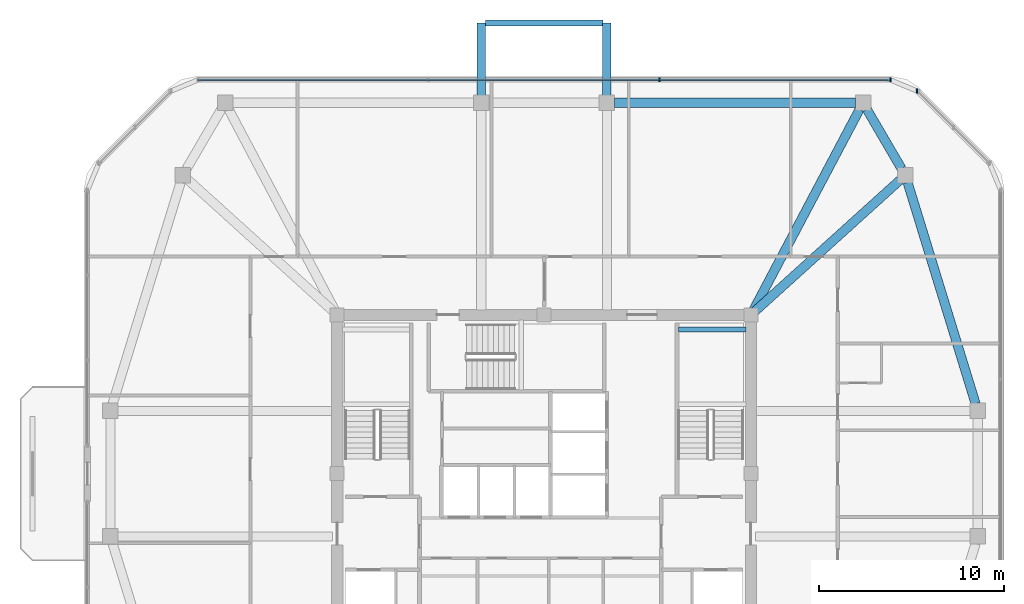
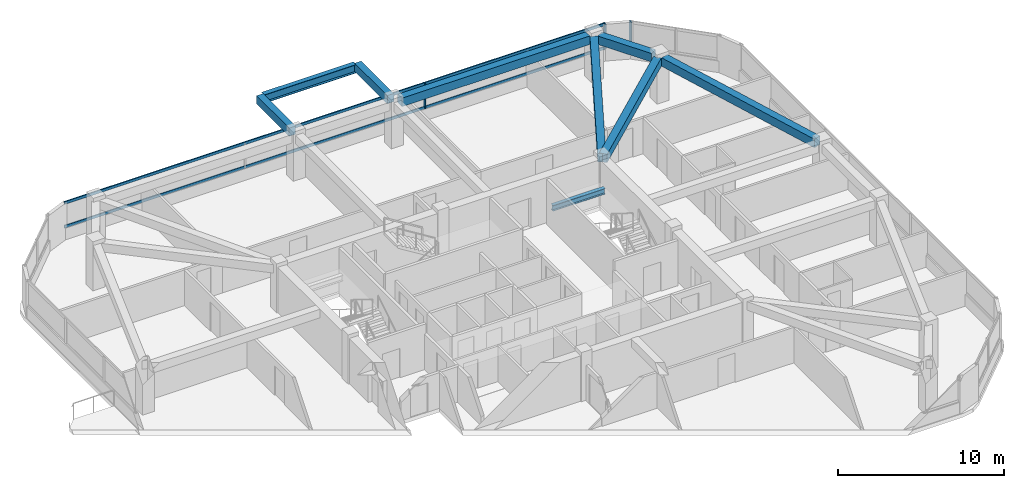
# One storey, part 5 of 13: 9 beams, 5 members, 2 elements without a shape of their own.
"""IFC4 building model written with IfcOpenShell, lengths in metres."""

from ifc_helpers import new_model, si_unit, derived_unit, direction, frame, origin, origin_2d, place, context, subcontext, project, spatial, rectangle, i_section, extrude, material, material_profile, profile_set, type_object, element, aggregate, save


model = new_model("IFC4")

# Units and contexts
model_context = context("Model", 3, precision=1e-05, world=origin(), true_north=direction((0.0, 1.0)))
body_context = subcontext(model_context, "Body", "Model", "MODEL_VIEW")
ifc_project = project(units=[si_unit("LENGTHUNIT", "METRE"), si_unit("AREAUNIT", "SQUARE_METRE"), si_unit("VOLUMEUNIT", "CUBIC_METRE"), si_unit("PLANEANGLEUNIT", "RADIAN"), si_unit("MASSUNIT", "GRAM", prefix="KILO"), derived_unit("THERMALTRANSMITTANCEUNIT", [(si_unit("POWERUNIT", "WATT"), 1), (si_unit("LENGTHUNIT", "METRE"), -2), (si_unit("THERMODYNAMICTEMPERATUREUNIT", "KELVIN"), -1)])], contexts=[model_context])

# Site, building, storey
site_placement = place(None, origin())
site = spatial("IfcSite", under=ifc_project, at=site_placement, CompositionType="ELEMENT")
building_placement = place(site_placement, origin())
building = spatial("IfcBuilding", under=site, at=building_placement, Name="Koralith Skygarden Medical Center", CompositionType="ELEMENT")
storey_placement = place(building_placement, frame((0.0, 0.0, 264.419921875)))
storey = spatial("IfcBuildingStorey", under=building, at=storey_placement, Name="L68", CompositionType="ELEMENT", Elevation=264.419921875)

# Curtain wall, member
ifc_material_1 = material(Name="Clear Laminated Glass", Category="glass")
curtain_wall_type = type_object("IfcCurtainWallType", Name="CW-6 Zone 5 Upper Clinical Curtain Wall", PredefinedType="NOTDEFINED", material=ifc_material_1)
curtain_wall_1_placement = place(storey_placement, origin())
curtain_wall_1 = element("IfcCurtainWall", 1, at=curtain_wall_1_placement, inside=storey, type_object=curtain_wall_type, Name="Curtain Wall CW-L68-NE", PredefinedType="NOTDEFINED")
ifc_material_2 = material(Name="Aluminium 6063-T6", Category="aluminium")
ifc_material_profile_1 = material_profile(ifc_material_2, rectangle(XDim=0.0830078125, YDim=0.219970703125, at=origin_2d()), Name="MUL83X220")
ifc_profile_set_1 = profile_set([ifc_material_profile_1], Name="Aluminium 6063-T6")
member_type_1 = type_object("IfcMemberType", Name="CW-6 Extruded Mullion 83x220", PredefinedType="MULLION", material=ifc_profile_set_1)
member_1_placement = place(storey_placement, frame((57.196044921875, 46.618896484375, 0.85009765625), z_axis=(0.0, 0.0, 1.0), x_axis=(1.0, 0.0, 0.0)))
member_1 = element("IfcMember", 2, at=member_1_placement, type_object=member_type_1, Name="CW-L68-NE Mullion 3", PredefinedType="MULLION", context=body_context, shape_type="SweptSolid", body=[
    extrude(rectangle(XDim=0.0830078125, YDim=0.219970703125, at=origin_2d()), origin(), (0.0, 0.0, 1.0), 1.840087890625),
])
aggregate(curtain_wall_1, [member_1])

# Curtain wall, members
curtain_wall_2_placement = place(storey_placement, origin())
curtain_wall_2 = element("IfcCurtainWall", 3, at=curtain_wall_2_placement, inside=storey, type_object=curtain_wall_type, Name="Curtain Wall CW-L68-N", PredefinedType="NOTDEFINED")
member_2_placement = place(storey_placement, frame((55.7451171875, 47.219970703125, 0.85009765625), z_axis=(0.0, 0.0, 1.0), x_axis=(1.0, 0.0, 0.0)))
member_2 = element("IfcMember", 4, at=member_2_placement, type_object=member_type_1, Name="CW-L68-N Mullion 1", PredefinedType="MULLION", context=body_context, shape_type="SweptSolid", body=[
    extrude(rectangle(XDim=0.0830078125, YDim=0.219970703125, at=origin_2d()), origin(), (0.0, 0.0, 1.0), 1.840087890625),
])
member_3_placement = place(storey_placement, frame((43.248046875, 47.219970703125, 0.85009765625), z_axis=(0.0, 0.0, 1.0), x_axis=(1.0, 0.0, 0.0)))
member_3 = element("IfcMember", 5, at=member_3_placement, type_object=member_type_1, Name="CW-L68-N Mullion 2", PredefinedType="MULLION", context=body_context, shape_type="SweptSolid", body=[
    extrude(rectangle(XDim=0.0830078125, YDim=0.219970703125, at=origin_2d()), origin(), (0.0, 0.0, 1.0), 1.840087890625),
])
ifc_material_profile_2 = material_profile(ifc_material_2, rectangle(XDim=0.077880859375, YDim=0.197998046875, at=origin_2d()), Name="TRN78X198")
ifc_profile_set_2 = profile_set([ifc_material_profile_2], Name="Aluminium 6063-T6")
member_type_2 = type_object("IfcMemberType", Name="CW-6 Thermal Transom 78x198", PredefinedType="USERDEFINED", material=ifc_profile_set_2)
member_4_placement = place(storey_placement, frame((55.7451171875, 47.219970703125, 0.900146484375), z_axis=(-1.0, 0.0, 0.0), x_axis=(0.0, -1.0, 0.0)))
member_4 = element("IfcMember", 6, at=member_4_placement, type_object=member_type_2, Name="CW-L68-N Transom 1", ObjectType="TRANSOM", PredefinedType="USERDEFINED", context=body_context, shape_type="SweptSolid", body=[
    extrude(rectangle(XDim=0.077880859375, YDim=0.197998046875, at=origin_2d()), origin(), (0.0, 0.0, 1.0), 37.490234375),
])
member_5_placement = place(storey_placement, frame((55.7451171875, 47.219970703125, 2.64013671875), z_axis=(-1.0, 0.0, 0.0), x_axis=(0.0, -1.0, 0.0)))
member_5 = element("IfcMember", 7, at=member_5_placement, type_object=member_type_2, Name="CW-L68-N Transom 2", ObjectType="TRANSOM", PredefinedType="USERDEFINED", context=body_context, shape_type="SweptSolid", body=[
    extrude(rectangle(XDim=0.077880859375, YDim=0.197998046875, at=origin_2d()), origin(), (0.0, 0.0, 1.0), 37.490234375),
])
aggregate(curtain_wall_2, [member_2, member_3, member_4, member_5])

# Beams
ifc_material_3 = material(Name="Steel ASTM A992 Grade 50", Category="steel")
ifc_material_profile_3 = material_profile(ifc_material_3, i_section(OverallWidth=0.326904296875, OverallDepth=0.6220703125, WebThickness=0.015380859375, FlangeThickness=0.0244140625, at=origin_2d()), Name="W24X131")
ifc_profile_set_3 = profile_set([ifc_material_profile_3], Name="Steel ASTM A992 Grade 50")
beam_type_1 = type_object("IfcBeamType", Name="Cantilever Tie Beam W24X131", PredefinedType="BEAM", material=ifc_profile_set_3)
beam_1_placement = place(storey_placement, frame((33.820068359375, 50.300048828125, 3.029052734375), z_axis=(1.0, 0.0, 0.0), x_axis=(0.0, 1.0, 0.0)))
element("IfcBeam", 8, at=beam_1_placement, inside=storey, type_object=beam_type_1, Name="L69 N Balcony Tip Tie Beam", PredefinedType="BEAM", context=body_context, shape_type="SweptSolid", body=[
    extrude(i_section(OverallWidth=0.326904296875, OverallDepth=0.6220703125, WebThickness=0.015380859375, FlangeThickness=0.0244140625, at=origin_2d()), origin(), (0.0, 0.0, 1.0), 6.35986328125),
])
ifc_material_profile_4 = material_profile(ifc_material_3, i_section(OverallWidth=0.260009765625, OverallDepth=0.4150390625, WebThickness=0.010009765625, FlangeThickness=0.016845703125, at=origin_2d()), Name="W16X67")
ifc_profile_set_4 = profile_set([ifc_material_profile_4], Name="Steel ASTM A992 Grade 50")
beam_type_2 = type_object("IfcBeamType", Name="Clinical Floor Joist W16X67", PredefinedType="JOIST", material=ifc_profile_set_4)
beam_2_placement = place(storey_placement, frame((44.280029296875, 33.699951171875, 1.39306640625), z_axis=(1.0, 0.0, 0.0), x_axis=(0.0, 1.0, 0.0)))
element("IfcBeam", 9, at=beam_2_placement, inside=storey, type_object=beam_type_2, Name="L68 Stair ST2 Half-Landing Support Beam 1B", PredefinedType="JOIST", context=body_context, shape_type="SweptSolid", body=[
    extrude(i_section(OverallWidth=0.260009765625, OverallDepth=0.4150390625, WebThickness=0.010009765625, FlangeThickness=0.016845703125, at=origin_2d()), origin(), (0.0, 0.0, 1.0), 3.639892578125),
])
ifc_material_4 = material(Name="Concrete C45/55", Category="concrete")
ifc_material_profile_5 = material_profile(ifc_material_4, rectangle(XDim=0.449951171875, YDim=0.60009765625, at=origin_2d()), Name="RCB450X600")
ifc_profile_set_5 = profile_set([ifc_material_profile_5], Name="Concrete C45/55")
beam_type_3 = type_object("IfcBeamType", Name="Planted Balcony Cantilever Beam RCB450X600", PredefinedType="BEAM", material=ifc_profile_set_5)
for number, where, z_axis, x_axis, name in (
    (10, (33.60009765625, 46.3798828125, 3.0400390625), (0.0, 1.0, 0.0), (-1.0, 0.0, 0.0), "L69 N Balcony Cantilever Beam A"),
    (11, (40.39990234375, 46.3798828125, 3.0400390625), (0.0, 1.0, 0.0), (-1.0, 0.0, 0.0), "L69 N Balcony Cantilever Beam B"),
):
    element("IfcBeam", number, at=place(storey_placement, frame(where, z_axis=z_axis, x_axis=x_axis)), inside=storey, type_object=beam_type_3, Name=name, PredefinedType="BEAM", context=body_context, shape_type="SweptSolid", body=[
        extrude(rectangle(XDim=0.449951171875, YDim=0.60009765625, at=origin_2d()), origin(), (0.0, 0.0, 1.0), 3.920166015625),
    ])
ifc_material_profile_6 = material_profile(ifc_material_4, rectangle(XDim=0.5, YDim=0.6201171875, at=origin_2d()), Name="RCB500X620")
ifc_profile_set_6 = profile_set([ifc_material_profile_6], Name="Concrete C45/55")
beam_type_4 = type_object("IfcBeamType", Name="Upper Radial Collector Beam RCB500X620", PredefinedType="BEAM", material=ifc_profile_set_6)
beam_3_placement = place(storey_placement, frame((48.385009765625, 34.66796875, 3.010009765625), z_axis=(0.741747768548, 0.670678945438, 0.0), x_axis=(-0.670678945438, 0.741747768548, 0.0)))
element("IfcBeam", 12, at=beam_3_placement, inside=storey, type_object=beam_type_4, Name="L68 Radial Collector Beam RB-10", PredefinedType="BEAM", context=body_context, shape_type="SweptSolid", body=[
    extrude(rectangle(XDim=0.5, YDim=0.6201171875, at=origin_2d()), origin(), (0.0, 0.0, 1.0), 10.611572265625),
])
beam_4_placement = place(storey_placement, frame((48.31689453125, 34.720947265625, 3.010009765625), z_axis=(0.467256895772, 0.884121594213, 0.0), x_axis=(-0.884121594213, 0.467256895772, 0.0)))
element("IfcBeam", 13, at=beam_4_placement, inside=storey, type_object=beam_type_4, Name="L68 Radial Collector Beam RB-11", PredefinedType="BEAM", context=body_context, shape_type="SweptSolid", body=[
    extrude(rectangle(XDim=0.5, YDim=0.6201171875, at=origin_2d()), origin(), (0.0, 0.0, 1.0), 12.3251953125),
])
ifc_material_profile_7 = material_profile(ifc_material_4, rectangle(XDim=0.5, YDim=0.6201171875, at=origin_2d()), Name="RCB500X620")
ifc_profile_set_7 = profile_set([ifc_material_profile_7], Name="Concrete C45/55")
beam_type_5 = type_object("IfcBeamType", Name="Zone 4-5 Spandrel Beam RCB500X620", PredefinedType="SPANDREL", material=ifc_profile_set_7)
beam_5_placement = place(storey_placement, frame((60.360107421875, 29.69189453125, 3.010009765625), z_axis=(-0.293738023424, 0.955885962652, 0.0), x_axis=(-0.955885962652, -0.293738023424, 0.0)))
element("IfcBeam", 14, at=beam_5_placement, inside=storey, type_object=beam_type_5, Name="L68 Perimeter Spandrel Beam SP-09", PredefinedType="SPANDREL", context=body_context, shape_type="SweptSolid", body=[
    extrude(rectangle(XDim=0.5, YDim=0.6201171875, at=origin_2d()), origin(), (0.0, 0.0, 1.0), 12.52880859375),
])
beam_6_placement = place(storey_placement, frame((56.35302734375, 42.4140625, 3.010009765625), z_axis=(-0.50473571007, 0.863273921175, 0.0), x_axis=(-0.863273921175, -0.50473571007, 0.0)))
element("IfcBeam", 15, at=beam_6_placement, inside=storey, type_object=beam_type_5, Name="L68 Perimeter Spandrel Beam SP-10", PredefinedType="SPANDREL", context=body_context, shape_type="SweptSolid", body=[
    extrude(rectangle(XDim=0.5, YDim=0.6201171875, at=origin_2d()), origin(), (0.0, 0.0, 1.0), 3.720703125),
])
beam_7_placement = place(storey_placement, frame((53.85791015625, 45.97998046875, 3.010009765625), z_axis=(-1.0, 0.0, 0.0), x_axis=(0.0, -1.0, 0.0)))
element("IfcBeam", 16, at=beam_7_placement, inside=storey, type_object=beam_type_5, Name="L68 Perimeter Spandrel Beam SP-11", PredefinedType="SPANDREL", context=body_context, shape_type="SweptSolid", body=[
    extrude(rectangle(XDim=0.5, YDim=0.6201171875, at=origin_2d()), origin(), (0.0, 0.0, 1.0), 13.0478515625),
])

save(model, "model.ifc")
